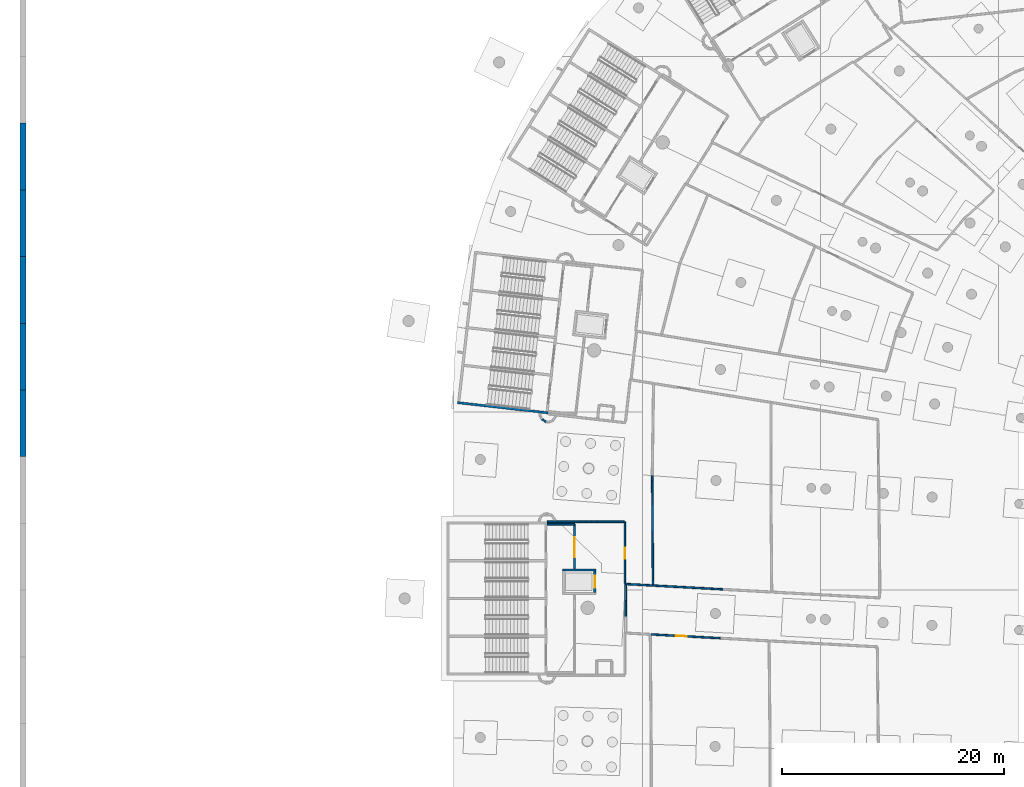
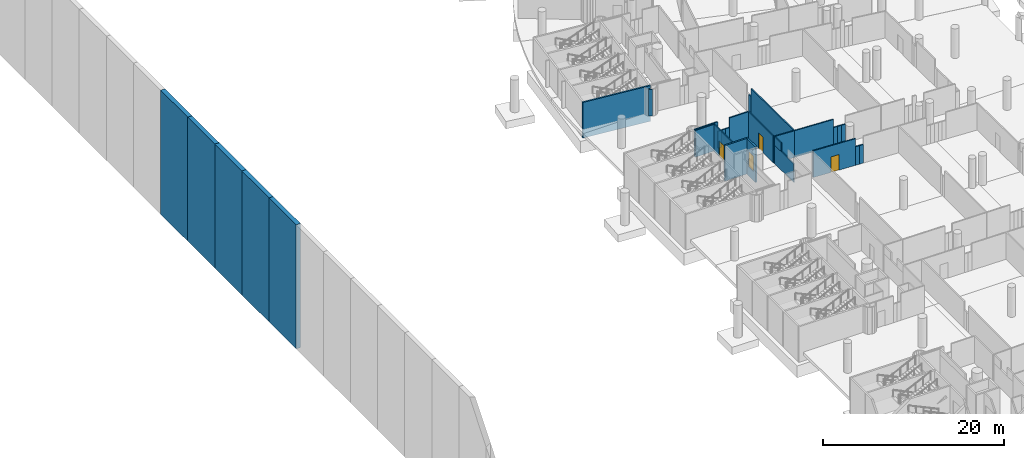
# One storey, part 67 of 142: 29 walls, 4 doors, 4 openings.
"""IFC4 building model written with IfcOpenShell, lengths in metres."""

from ifc_helpers import new_model, si_unit, direction, frame, frame_2d, origin, place, context, subcontext, project, spatial, rectangle, extrude, material, layer, layer_set, type_object, element, fill, save


model = new_model("IFC4")

# Units and contexts
model_context = context("Model", 3, precision=1e-05, world=origin(), true_north=direction((0.0, 1.0)))
body_context = subcontext(model_context, "Body", "Model", "MODEL_VIEW")
ifc_project = project(units=[si_unit("LENGTHUNIT", "METRE"), si_unit("AREAUNIT", "SQUARE_METRE"), si_unit("VOLUMEUNIT", "CUBIC_METRE"), si_unit("PLANEANGLEUNIT", "RADIAN"), si_unit("MASSUNIT", "GRAM", prefix="KILO")], contexts=[model_context])

# Site, building, storey
site_placement = place(None, origin())
site = spatial("IfcSite", under=ifc_project, at=site_placement, CompositionType="ELEMENT")
building_placement = place(site_placement, origin())
building = spatial("IfcBuilding", under=site, at=building_placement, Name="Meseta Stadium", CompositionType="ELEMENT")
storey_placement = place(building_placement, frame((0.0, 0.0, -4.0)))
storey = spatial("IfcBuildingStorey", under=building, at=storey_placement, Name="B1", CompositionType="ELEMENT", Elevation=-4.0)

# Walls
ifc_material_1 = material(Name="Concrete C40/50", Category="concrete")
ifc_layer_1 = layer(ifc_material_1, 0.199951171875)
ifc_layer_set_1 = layer_set([ifc_layer_1], Name="Core shaft wall 200")
wall_type_1 = type_object("IfcWallType", Name="Core shaft wall 200", PredefinedType="SHEAR", material=ifc_layer_set_1)
wall_1_placement = place(storey_placement, frame((-96.645751953125, 48.86328125, -1.199951171875), z_axis=(0.0, 0.0, 1.0), x_axis=(0.993714104693, -0.111947658007, 0.0)))
element("IfcWall", 1, at=wall_1_placement, inside=storey, type_object=wall_type_1, Name="Core 15 B1 stair wall B-side", PredefinedType="SHEAR", context=body_context, shape_type="SweptSolid", body=[
    extrude(rectangle(XDim=8.199951171875, YDim=0.199951171875, at=frame_2d((4.10009765625, 0.0))), origin(), (0.0, 0.0, 1.0), 4.800048828125),
])
wall_2_placement = place(storey_placement, frame((-87.199951171875, 33.800048828125, -1.199951171875), z_axis=(0.0, 0.0, 1.0), x_axis=(1.0, 0.0, 0.0)))
element("IfcWall", 2, at=wall_2_placement, inside=storey, type_object=wall_type_1, Name="Core 16 B1 lift shaft wall left", PredefinedType="SHEAR", context=body_context, shape_type="SweptSolid", body=[
    extrude(rectangle(XDim=3.0, YDim=0.199951171875, at=frame_2d((1.5, 0.0))), origin(), (0.0, 0.0, 1.0), 4.800048828125),
])

# Wall, opening, door
wall_3_placement = place(storey_placement, frame((-84.300048828125, 33.699951171875, -1.199951171875), z_axis=(0.0, 0.0, 1.0), x_axis=(0.0, -1.0, 0.0)))
wall_3 = element("IfcWall", 3, at=wall_3_placement, inside=storey, type_object=wall_type_1, Name="Core 16 B1 lift shaft front wall", PredefinedType="SHEAR", context=body_context, shape_type="SweptSolid", body=[
    extrude(rectangle(XDim=1.89990234375, YDim=0.199951171875, at=frame_2d((0.949951171875, 0.0))), origin(), (0.0, 0.0, 1.0), 4.800048828125),
])
opening_1_placement = place(wall_3_placement, frame((0.39990234375, 0.0, 1.199951171875)))
opening_1 = element("IfcOpeningElement", 4, at=opening_1_placement, cuts=wall_3, Name="Opening LD85", PredefinedType="OPENING", context=body_context, shape_type="SweptSolid", body=[
    extrude(rectangle(XDim=1.10009765625, YDim=2.10009765625, at=frame_2d((0.550048828125, 1.050048828125))), frame((0.0, 0.10986328125, 0.0), z_axis=(0.0, -1.0, 0.0), x_axis=(1.0, 0.0, 0.0)), (0.0, 0.0, 1.0), 0.219970703125),
])
ifc_material_2 = material(Name="Steel", Category="steel")
door_type_1 = type_object("IfcDoorType", Name="Lift landing door 1100x2100", OperationType="SLIDING_TO_LEFT", PredefinedType="DOOR", material=ifc_material_2)
door_1_placement = place(opening_1_placement, origin())
door_1 = element("IfcDoor", 5, at=door_1_placement, inside=storey, type_object=door_type_1, Name="Lift landing door LD85", OperationType="SLIDING_TO_LEFT", OverallHeight=2.10009765625, OverallWidth=1.10009765625, PredefinedType="DOOR", context=body_context, shape_type="SweptSolid", body=[
    extrude(rectangle(XDim=1.10009765625, YDim=2.10009765625, at=frame_2d((0.550048828125, 1.050048828125))), frame((0.0, 0.02490234375, 0.0), z_axis=(0.0, -1.0, 0.0), x_axis=(1.0, 0.0, 0.0)), (0.0, 0.0, 1.0), 0.050048828125),
])
fill(opening_1, door_1)

# Walls
ifc_material_3 = material(Name="Masonry blockwork", Category="masonry")
ifc_layer_2 = layer(ifc_material_3, 0.14990234375)
ifc_layer_set_2 = layer_set([ifc_layer_2], Name="Partition 150")
wall_type_2 = type_object("IfcWallType", Name="Partition 150", PredefinedType="PARTITIONING", material=ifc_layer_set_2)
wall_4_placement = place(storey_placement, frame((-72.78857421875, 32.071044921875, 0.0), z_axis=(0.0, 0.0, 1.0), x_axis=(-0.998488156378, 0.054967277296, 0.0)))
element("IfcWall", 6, at=wall_4_placement, inside=storey, type_object=wall_type_2, Name="Partition B1 B1-cell14-2-0", PredefinedType="PARTITIONING", context=body_context, shape_type="SweptSolid", body=[
    extrude(rectangle(XDim=0.484130859375, YDim=0.14990234375, at=frame_2d((0.2421875, 0.0))), origin(), (0.0, 0.0, 1.0), 2.5),
])
wall_5_placement = place(storey_placement, frame((-73.27197265625, 32.09765625, 0.0), z_axis=(0.0, 0.0, 1.0), x_axis=(-0.998514210852, 0.054491932679, 0.0)))
element("IfcWall", 7, at=wall_5_placement, inside=storey, type_object=wall_type_2, Name="Partition B1 B1-cell14-2-0", PredefinedType="PARTITIONING", context=body_context, shape_type="SweptSolid", body=[
    extrude(rectangle(XDim=0.48388671875, YDim=0.14990234375, at=frame_2d((0.241943359375, 0.0))), origin(), (0.0, 0.0, 1.0), 2.5),
])
wall_6_placement = place(storey_placement, frame((-73.755126953125, 32.1240234375, 0.0), z_axis=(0.0, 0.0, 1.0), x_axis=(-0.998488156378, 0.054967277296, 0.0)))
element("IfcWall", 8, at=wall_6_placement, inside=storey, type_object=wall_type_2, Name="Partition B1 B1-cell14-2-0", PredefinedType="PARTITIONING", context=body_context, shape_type="SweptSolid", body=[
    extrude(rectangle(XDim=0.484130859375, YDim=0.14990234375, at=frame_2d((0.2421875, 0.0))), origin(), (0.0, 0.0, 1.0), 2.5),
])
wall_7_placement = place(storey_placement, frame((-74.238525390625, 32.150634765625, 0.0), z_axis=(0.0, 0.0, 1.0), x_axis=(-0.998501812622, 0.054718645724, 0.0)))
element("IfcWall", 9, at=wall_7_placement, inside=storey, type_object=wall_type_2, Name="Partition B1 B1-cell14-2-0", PredefinedType="PARTITIONING", context=body_context, shape_type="SweptSolid", body=[
    extrude(rectangle(XDim=4.841064453125, YDim=0.14990234375, at=frame_2d((2.42041015625, 0.0))), origin(), (0.0, 0.0, 1.0), 3.60009765625),
])
wall_8_placement = place(storey_placement, frame((-79.07275390625, 32.49072265625, 0.0), z_axis=(0.0, 0.0, 1.0), x_axis=(-0.006629312175, 0.999978025869, 0.0)))
element("IfcWall", 10, at=wall_8_placement, inside=storey, type_object=wall_type_2, Name="Partition B1 B1-cell14-2-0", PredefinedType="PARTITIONING", context=body_context, shape_type="SweptSolid", body=[
    extrude(rectangle(XDim=9.3173828125, YDim=0.14990234375, at=frame_2d((4.65869140625, 0.0))), origin(), (0.0, 0.0, 1.0), 3.60009765625),
])
wall_9_placement = place(storey_placement, frame((-79.134521484375, 41.807861328125, 0.0), z_axis=(0.0, 0.0, 1.0), x_axis=(-0.006419620801, 0.999979394022, 0.0)))
element("IfcWall", 11, at=wall_9_placement, inside=storey, type_object=wall_type_2, Name="Partition B1 B1-cell14-2-0", PredefinedType="PARTITIONING", context=body_context, shape_type="SweptSolid", body=[
    extrude(rectangle(XDim=0.494384765625, YDim=0.14990234375, at=frame_2d((0.2470703125, 0.0))), origin(), (0.0, 0.0, 1.0), 2.5),
])
wall_10_placement = place(storey_placement, frame((-79.122314453125, 32.418212890625, 0.0), z_axis=(0.0, 0.0, 1.0), x_axis=(-0.998497362752, 0.05479978629, 0.0)))
element("IfcWall", 12, at=wall_10_placement, inside=storey, type_object=wall_type_2, Name="Partition B1 B1-cell14-3-0", PredefinedType="PARTITIONING", context=body_context, shape_type="SweptSolid", body=[
    extrude(rectangle(XDim=2.4814453125, YDim=0.14990234375, at=frame_2d((1.24072265625, 0.0))), origin(), (0.0, 0.0, 1.0), 3.60009765625),
])

# Wall, opening, door
wall_11_placement = place(storey_placement, frame((-81.60009765625, 32.62939453125, 0.0), z_axis=(0.0, 0.0, 1.0), x_axis=(0.0, 1.0, 0.0)))
wall_11 = element("IfcWall", 13, at=wall_11_placement, inside=storey, type_object=wall_type_2, Name="Partition B1 B1-cell14-3-0", PredefinedType="PARTITIONING", context=body_context, shape_type="SweptSolid", body=[
    extrude(rectangle(XDim=5.5205078125, YDim=0.14990234375, at=frame_2d((2.76025390625, 0.0))), origin(), (0.0, 0.0, 1.0), 3.60009765625),
])
opening_2_placement = place(wall_11_placement, frame((2.199951171875, 0.0, 0.0)))
opening_2 = element("IfcOpeningElement", 14, at=opening_2_placement, cuts=wall_11, Name="Opening D475", PredefinedType="OPENING", context=body_context, shape_type="SweptSolid", body=[
    extrude(rectangle(XDim=1.0, YDim=2.10009765625, at=frame_2d((0.5, 1.050048828125))), frame((0.0, 0.0849609375, 0.0), z_axis=(0.0, -1.0, 0.0), x_axis=(1.0, 0.0, 0.0)), (0.0, 0.0, 1.0), 0.169921875),
])
ifc_material_4 = material(Name="Steel", Category="steel")
door_type_2 = type_object("IfcDoorType", Name="Fire door 1000x2100 EI2 60", OperationType="NOTDEFINED", PredefinedType="DOOR", material=ifc_material_4)
door_2_placement = place(opening_2_placement, origin())
door_2 = element("IfcDoor", 15, at=door_2_placement, inside=storey, type_object=door_type_2, Name="Door D475", OperationType="SINGLE_SWING_LEFT", OverallHeight=2.10009765625, OverallWidth=1.0, PredefinedType="DOOR", context=body_context, shape_type="SweptSolid", body=[
    extrude(rectangle(XDim=1.0, YDim=2.10009765625, at=frame_2d((0.5, 1.050048828125))), frame((0.0, 0.02490234375, 0.0), z_axis=(0.0, -1.0, 0.0), x_axis=(1.0, 0.0, 0.0)), (0.0, 0.0, 1.0), 0.050048828125),
])
fill(opening_2, door_2)

# Walls
wall_12_placement = place(storey_placement, frame((-81.675048828125, 38.14990234375, 0.0), z_axis=(0.0, 0.0, 1.0), x_axis=(-1.0, 0.0, 0.0)))
element("IfcWall", 16, at=wall_12_placement, inside=storey, type_object=wall_type_2, Name="Partition B1 B1-cell14-3-0", PredefinedType="PARTITIONING", context=body_context, shape_type="SweptSolid", body=[
    extrude(rectangle(XDim=2.41064453125, YDim=0.14990234375, at=frame_2d((1.205322265625, 0.0))), origin(), (0.0, 0.0, 1.0), 3.60009765625),
])
wall_13_placement = place(storey_placement, frame((-84.085693359375, 38.14990234375, 0.0), z_axis=(0.0, 0.0, 1.0), x_axis=(-1.0, 0.0, 0.0)))
element("IfcWall", 17, at=wall_13_placement, inside=storey, type_object=wall_type_2, Name="Partition B1 B1-cell14-3-0", PredefinedType="PARTITIONING", context=body_context, shape_type="SweptSolid", body=[
    extrude(rectangle(XDim=0.497314453125, YDim=0.14990234375, at=frame_2d((0.24853515625, 0.0))), origin(), (0.0, 0.0, 1.0), 2.300048828125),
])
for number, where, z_axis, x_axis, name in (
    (18, (-84.5830078125, 38.14990234375, 0.0), (0.0, 0.0, 1.0), (-1.0, 0.0, 0.0), "Partition B1 B1-cell14-3-0"),
    (19, (-85.080078125, 38.14990234375, 0.0), (0.0, 0.0, 1.0), (-1.0, 0.0, 0.0), "Partition B1 B1-cell14-3-0"),
):
    element("IfcWall", number, at=place(storey_placement, frame(where, z_axis=z_axis, x_axis=x_axis)), inside=storey, type_object=wall_type_2, Name=name, PredefinedType="PARTITIONING", context=body_context, shape_type="SweptSolid", body=[
        extrude(rectangle(XDim=0.4970703125, YDim=0.14990234375, at=frame_2d((0.24853515625, 0.0))), origin(), (0.0, 0.0, 1.0), 2.300048828125),
    ])
wall_14_placement = place(storey_placement, frame((-85.5771484375, 38.14990234375, 0.0), z_axis=(0.0, 0.0, 1.0), x_axis=(-1.0, 0.0, 0.0)))
element("IfcWall", 20, at=wall_14_placement, inside=storey, type_object=wall_type_2, Name="Partition B1 B1-cell14-3-0", PredefinedType="PARTITIONING", context=body_context, shape_type="SweptSolid", body=[
    extrude(rectangle(XDim=2.98291015625, YDim=0.14990234375, at=frame_2d((1.491455078125, 0.0))), origin(), (0.0, 0.0, 1.0), 3.60009765625),
])

# Wall, opening, door
wall_15_placement = place(storey_placement, frame((-79.238037109375, 28.01806640625, 0.0), z_axis=(0.0, 0.0, 1.0), x_axis=(0.998500864351, -0.054735946968, 0.0)))
wall_15 = element("IfcWall", 21, at=wall_15_placement, inside=storey, type_object=wall_type_2, Name="Partition B1 B1-cell15-2-0", PredefinedType="PARTITIONING", context=body_context, shape_type="SweptSolid", body=[
    extrude(rectangle(XDim=5.249755859375, YDim=0.14990234375, at=frame_2d((2.625, 0.0))), origin(), (0.0, 0.0, 1.0), 3.60009765625),
])
opening_3_placement = place(wall_15_placement, frame((2.199951171875, 0.0, 0.0)))
opening_3 = element("IfcOpeningElement", 22, at=opening_3_placement, cuts=wall_15, Name="Opening D477", PredefinedType="OPENING", context=body_context, shape_type="SweptSolid", body=[
    extrude(rectangle(XDim=1.0, YDim=2.10009765625, at=frame_2d((0.5, 1.050048828125))), frame((0.0, 0.0849609375, 0.0), z_axis=(0.0, -1.0, 0.0), x_axis=(1.0, 0.0, 0.0)), (0.0, 0.0, 1.0), 0.169921875),
])
ifc_material_5 = material(Name="Steel", Category="steel")
door_type_3 = type_object("IfcDoorType", Name="Fire door 1000x2100 EI2 120", OperationType="NOTDEFINED", PredefinedType="DOOR", material=ifc_material_5)
door_3_placement = place(opening_3_placement, origin())
door_3 = element("IfcDoor", 23, at=door_3_placement, inside=storey, type_object=door_type_3, Name="Door D477", OperationType="SINGLE_SWING_RIGHT", OverallHeight=2.10009765625, OverallWidth=1.0, PredefinedType="DOOR", context=body_context, shape_type="SweptSolid", body=[
    extrude(rectangle(XDim=1.0, YDim=2.10009765625, at=frame_2d((0.5, 1.050048828125))), frame((0.0, 0.02490234375, 0.0), z_axis=(0.0, -1.0, 0.0), x_axis=(1.0, 0.0, 0.0)), (0.0, 0.0, 1.0), 0.050048828125),
])
fill(opening_3, door_3)

# Walls
for number, where, z_axis, x_axis, name in (
    (24, (-73.99609375, 27.730712890625, 0.0), (0.0, 0.0, 1.0), (0.998488156378, -0.054967277296, 0.0), "Partition B1 B1-cell15-2-0"),
    (25, (-73.5126953125, 27.7041015625, 0.0), (0.0, 0.0, 1.0), (0.998515707931, -0.05446449316, 0.0), "Partition B1 B1-cell15-2-0"),
):
    element("IfcWall", number, at=place(storey_placement, frame(where, z_axis=z_axis, x_axis=x_axis)), inside=storey, type_object=wall_type_2, Name=name, PredefinedType="PARTITIONING", context=body_context, shape_type="SweptSolid", body=[
        extrude(rectangle(XDim=0.484130859375, YDim=0.14990234375, at=frame_2d((0.2421875, 0.0))), origin(), (0.0, 0.0, 1.0), 2.5),
    ])
wall_16_placement = place(storey_placement, frame((-89.07373046875, 47.3876953125, 0.0), z_axis=(0.0, 0.0, 1.0), x_axis=(0.850449593678, -0.526056545072, 0.0)))
element("IfcWall", 26, at=wall_16_placement, inside=storey, type_object=wall_type_2, Name="Stair vestibule wall B1 core 15", PredefinedType="PARTITIONING", context=body_context, shape_type="SweptSolid", body=[
    extrude(rectangle(XDim=0.4794921875, YDim=0.14990234375, at=frame_2d((0.23974609375, 0.0))), origin(), (0.0, 0.0, 1.0), 3.60009765625),
])

# Wall, opening, door
wall_17_placement = place(storey_placement, frame((-86.125, 33.909912109375, 0.0), z_axis=(0.0, 0.0, 1.0), x_axis=(0.0, 1.0, 0.0)))
wall_17 = element("IfcWall", 27, at=wall_17_placement, inside=storey, type_object=wall_type_2, Name="Stair vestibule wall B1 core 16", PredefinedType="PARTITIONING", context=body_context, shape_type="SweptSolid", body=[
    extrude(rectangle(XDim=4.01513671875, YDim=0.14990234375, at=frame_2d((2.007568359375, 0.0))), origin(), (0.0, 0.0, 1.0), 3.60009765625),
])
opening_4_placement = place(wall_17_placement, frame((1.050048828125, 0.0, 0.0)))
opening_4 = element("IfcOpeningElement", 28, at=opening_4_placement, cuts=wall_17, Name="Opening D730", PredefinedType="OPENING", context=body_context, shape_type="SweptSolid", body=[
    extrude(rectangle(XDim=1.800048828125, YDim=2.10009765625, at=frame_2d((0.89990234375, 1.050048828125))), frame((0.0, 0.0849609375, 0.0), z_axis=(0.0, -1.0, 0.0), x_axis=(1.0, 0.0, 0.0)), (0.0, 0.0, 1.0), 0.169921875),
])
ifc_material_6 = material(Name="Steel", Category="steel")
door_type_4 = type_object("IfcDoorType", Name="Fire double door 1800x2100 EI2 60", OperationType="DOUBLE_DOOR_SINGLE_SWING", PredefinedType="DOOR", material=ifc_material_6)
door_4_placement = place(opening_4_placement, origin())
door_4 = element("IfcDoor", 29, at=door_4_placement, inside=storey, type_object=door_type_4, Name="Stair vestibule door B1 core 16", OperationType="DOUBLE_DOOR_SINGLE_SWING", OverallHeight=2.10009765625, OverallWidth=1.800048828125, PredefinedType="DOOR", context=body_context, shape_type="SweptSolid", body=[
    extrude(rectangle(XDim=1.800048828125, YDim=2.10009765625, at=frame_2d((0.89990234375, 1.050048828125))), frame((0.0, 0.02490234375, 0.0), z_axis=(0.0, -1.0, 0.0), x_axis=(1.0, 0.0, 0.0)), (0.0, 0.0, 1.0), 0.050048828125),
])
fill(opening_4, door_4)

# Walls
wall_18_placement = place(storey_placement, frame((-86.125, 37.925048828125, 0.0), z_axis=(0.0, 0.0, 1.0), x_axis=(-1.0, 0.0, 0.0)))
element("IfcWall", 30, at=wall_18_placement, inside=storey, type_object=wall_type_2, Name="Stair vestibule wall B1 core 16", PredefinedType="PARTITIONING", context=body_context, shape_type="SweptSolid", body=[
    extrude(rectangle(XDim=2.465087890625, YDim=0.14990234375, at=frame_2d((1.232421875, 0.0))), origin(), (0.0, 0.0, 1.0), 3.60009765625),
])
wall_19_placement = place(storey_placement, frame((-81.52490234375, 28.219482421875, 0.0), z_axis=(0.0, 0.0, 1.0), x_axis=(0.0, 1.0, 0.0)))
element("IfcWall", 31, at=wall_19_placement, inside=storey, type_object=wall_type_2, Name="Stair vestibule wall B1 core 16", PredefinedType="PARTITIONING", context=body_context, shape_type="SweptSolid", body=[
    extrude(rectangle(XDim=4.24951171875, YDim=0.14990234375, at=frame_2d((2.124755859375, 0.0))), origin(), (0.0, 0.0, 1.0), 2.5),
])
wall_20_placement = place(storey_placement, frame((-81.52490234375, 31.031982421875, 2.5), z_axis=(0.0, 0.0, 1.0), x_axis=(0.0, 1.0, 0.0)))
element("IfcWall", 32, at=wall_20_placement, inside=storey, type_object=wall_type_2, Name="Stair vestibule wall B1 core 16", PredefinedType="PARTITIONING", context=body_context, shape_type="SweptSolid", body=[
    extrude(rectangle(XDim=1.43701171875, YDim=0.14990234375, at=frame_2d((0.718505859375, 0.0))), origin(), (0.0, 0.0, 1.0), 1.10009765625),
])
ifc_material_7 = material(Name="Concrete C30/37", Category="concrete")
ifc_layer_3 = layer(ifc_material_7, 0.550048828125)
ifc_layer_set_3 = layer_set([ifc_layer_3], Name="Site retaining wall 550")
wall_type_3 = type_object("IfcWallType", Name="Site retaining wall 550", PredefinedType="SOLIDWALL", material=ifc_layer_set_3)
for number, where, z_axis, x_axis, name in (
    (33, (-135.72509765625, 73.999755859375, -13.0), (0.0, 0.0, 1.0), (0.0, -1.0, 0.0), "Site retaining wall 155"),
    (34, (-135.72509765625, 67.999755859375, -13.0), (0.0, 0.0, 1.0), (0.0, -1.0, 0.0), "Site retaining wall 156"),
    (35, (-135.72509765625, 61.999755859375, -13.0), (0.0, 0.0, 1.0), (0.0, -1.0, 0.0), "Site retaining wall 157"),
):
    element("IfcWall", number, at=place(storey_placement, frame(where, z_axis=z_axis, x_axis=x_axis)), inside=storey, type_object=wall_type_3, Name=name, PredefinedType="SOLIDWALL", context=body_context, shape_type="SweptSolid", body=[
        extrude(rectangle(XDim=6.0, YDim=0.550048828125, at=frame_2d((3.0, 0.0))), origin(), (0.0, 0.0, 1.0), 16.75),
    ])
wall_21_placement = place(storey_placement, frame((-135.72509765625, 55.999755859375, -13.0), z_axis=(0.0, 0.0, 1.0), x_axis=(0.0, -1.0, 0.0)))
element("IfcWall", 36, at=wall_21_placement, inside=storey, type_object=wall_type_3, Name="Site retaining wall 158", PredefinedType="SOLIDWALL", context=body_context, shape_type="SweptSolid", body=[
    extrude(rectangle(XDim=5.999755859375, YDim=0.550048828125, at=frame_2d((3.0, 0.0))), origin(), (0.0, 0.0, 1.0), 16.75),
])
wall_22_placement = place(storey_placement, frame((-135.72509765625, 50.0, -13.0), z_axis=(0.0, 0.0, 1.0), x_axis=(0.0, -1.0, 0.0)))
element("IfcWall", 37, at=wall_22_placement, inside=storey, type_object=wall_type_3, Name="Site retaining wall 159", PredefinedType="SOLIDWALL", context=body_context, shape_type="SweptSolid", body=[
    extrude(rectangle(XDim=6.0, YDim=0.550048828125, at=frame_2d((3.0, 0.0))), origin(), (0.0, 0.0, 1.0), 16.75),
])

save(model, "model.ifc")
